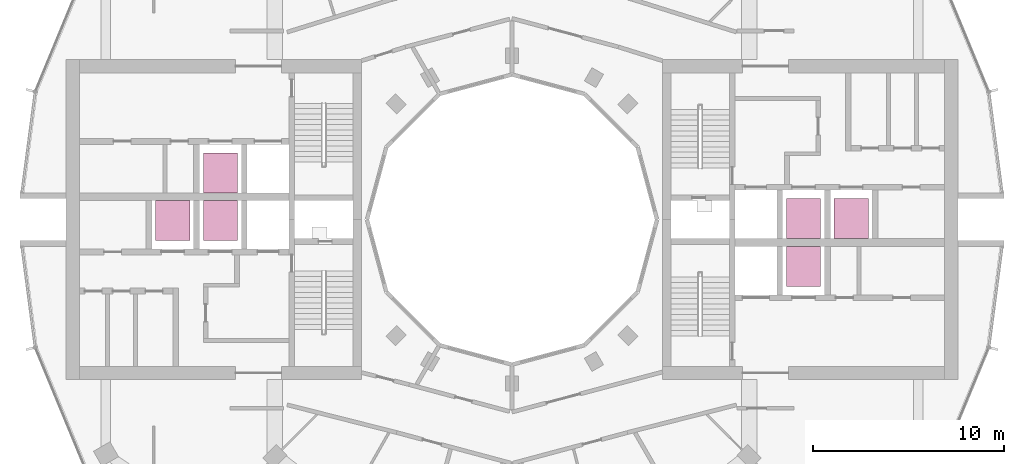
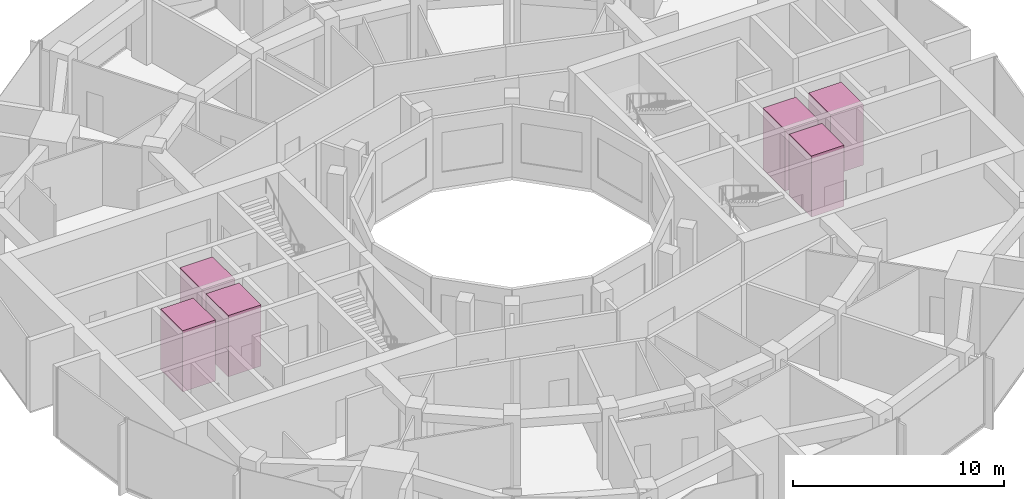
# One storey, part 15 of 15: 6 transport elements.
"""IFC4 building model written with IfcOpenShell, lengths in metres."""

from ifc_helpers import new_model, si_unit, direction, frame, origin, origin_2d, place, context, subcontext, project, spatial, rectangle, extrude, material, type_object, element, save


model = new_model("IFC4")

# Units and contexts
model_context = context("Model", 3, precision=1e-05, world=origin(), true_north=direction((0.0, 1.0)))
body_context = subcontext(model_context, "Body", "Model", "MODEL_VIEW")
ifc_project = project(units=[si_unit("LENGTHUNIT", "METRE"), si_unit("AREAUNIT", "SQUARE_METRE"), si_unit("VOLUMEUNIT", "CUBIC_METRE"), si_unit("PLANEANGLEUNIT", "RADIAN"), si_unit("MASSUNIT", "GRAM", prefix="KILO")], contexts=[model_context])

# Site, building, storey
site_placement = place(None, origin())
site = spatial("IfcSite", under=ifc_project, at=site_placement, CompositionType="ELEMENT")
building_placement = place(site_placement, origin())
building = spatial("IfcBuilding", under=site, at=building_placement, Name="Torre Brocal", CompositionType="ELEMENT")
storey_placement = place(building_placement, frame((0.0, 0.0, 198.699951171875)))
storey = spatial("IfcBuildingStorey", under=building, at=storey_placement, Name="L46", CompositionType="ELEMENT", Elevation=198.699951171875)

# Transport elements
ifc_material = material(Name="Stainless steel AISI 316", Category="steel")
transport_element_type = type_object("IfcTransportElementType", Name="PASSENGER LIFT", PredefinedType="ELEVATOR", material=ifc_material)
for number, where, z_axis, x_axis, name in (
    (1, (95.300048828125, 75.050048828125, 0.0), (0.0, 0.0, 1.0), (1.0, 0.0, 0.0), "HIGH RISE LIFT E-HR1"),
    (2, (95.300048828125, 72.550048828125, 0.0), (0.0, 0.0, 1.0), (1.0, 0.0, 0.0), "HIGH RISE LIFT E-HR2"),
    (3, (97.800048828125, 75.050048828125, 0.0), (0.0, 0.0, 1.0), (1.0, 0.0, 0.0), "HIGH RISE LIFT E-HR3"),
    (4, (64.699951171875, 74.949951171875, 0.0), (0.0, 0.0, 1.0), (1.0, 0.0, 0.0), "HIGH RISE LIFT W-HR1"),
    (5, (64.699951171875, 77.449951171875, 0.0), (0.0, 0.0, 1.0), (1.0, 0.0, 0.0), "HIGH RISE LIFT W-HR2"),
    (6, (62.199951171875, 74.949951171875, 0.0), (0.0, 0.0, 1.0), (1.0, 0.0, 0.0), "HIGH RISE LIFT W-HR3"),
):
    element("IfcTransportElement", number, at=place(storey_placement, frame(where, z_axis=z_axis, x_axis=x_axis)), inside=storey, type_object=transport_element_type, Name=name, PredefinedType="ELEVATOR", context=body_context, shape_type="SweptSolid", body=[
        extrude(rectangle(XDim=1.800048828125, YDim=2.10009765625, at=origin_2d()), origin(), (0.0, 0.0, 1.0), 3.550048828125),
    ])

save(model, "model.ifc")
